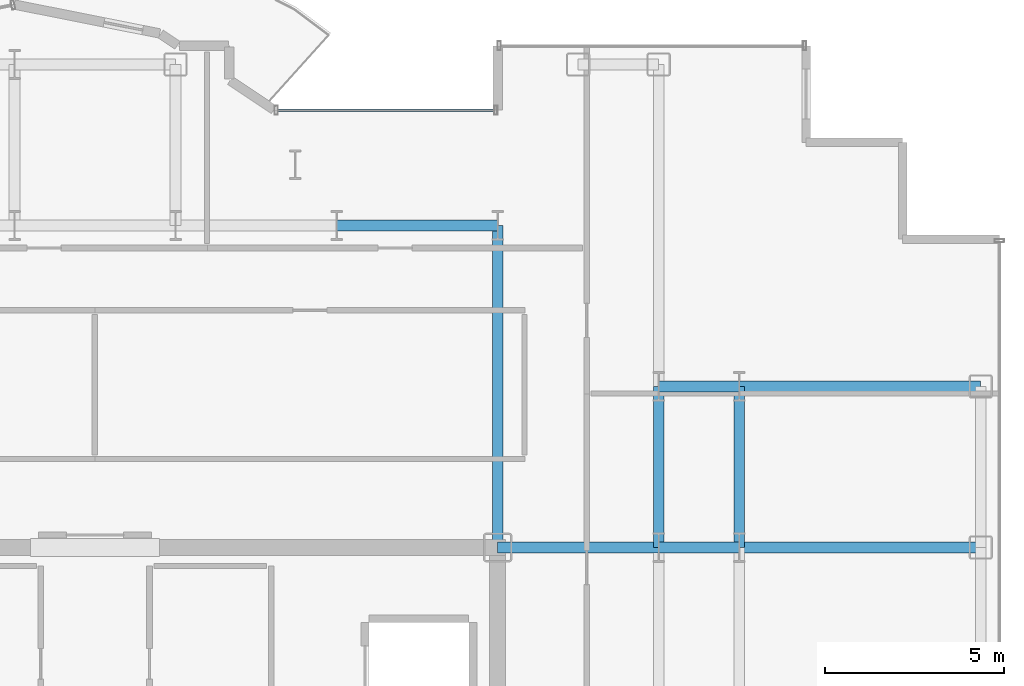
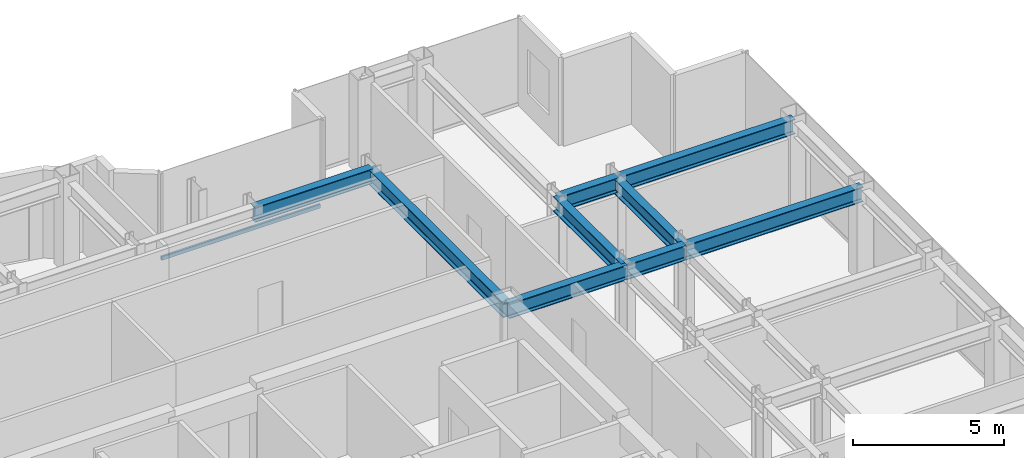
# One storey, part 11 of 20: 9 beams, 1 member, 1 element without a shape of its own.
"""IFC4 building model written with IfcOpenShell, lengths in metres."""

from ifc_helpers import new_model, si_unit, direction, frame, origin, origin_2d, place, context, subcontext, project, spatial, hollow_rectangle, i_section, extrude, source, transform, mapped, material, layer, layer_set, material_profile, profile_set, type_object, element, aggregate, save


model = new_model("IFC4")

# Units and contexts
model_context = context("Model", 3, precision=1e-05, world=origin(), true_north=direction((0.0, 1.0)))
body_context = subcontext(model_context, "Body", "Model", "MODEL_VIEW")
ifc_project = project(units=[si_unit("LENGTHUNIT", "METRE"), si_unit("AREAUNIT", "SQUARE_METRE"), si_unit("VOLUMEUNIT", "CUBIC_METRE"), si_unit("PLANEANGLEUNIT", "RADIAN"), si_unit("MASSUNIT", "GRAM", prefix="KILO")], contexts=[model_context])

# Site, building, storey
site_placement = place(None, origin())
site = spatial("IfcSite", under=ifc_project, at=site_placement, CompositionType="ELEMENT")
building_placement = place(site_placement, origin())
building = spatial("IfcBuilding", under=site, at=building_placement, Name="Nefas-Gora Pilgrimage Tower", CompositionType="ELEMENT")
storey_placement = place(building_placement, frame((0.0, 0.0, 225.60009765625)))
storey = spatial("IfcBuildingStorey", under=building, at=storey_placement, Name="L56", CompositionType="ELEMENT", Elevation=225.60009765625)

# Beams
ifc_material_1 = material(Name="Steel S355", Category="steel")
ifc_material_profile_1 = material_profile(ifc_material_1, i_section(OverallWidth=0.300048828125, OverallDepth=0.60009765625, WebThickness=0.015380859375, FlangeThickness=0.030029296875, FilletRadius=0.027099609375, at=origin_2d()), Name="HEB 600")
ifc_profile_set_1 = profile_set([ifc_material_profile_1], Name="Steel S355")
beam_type = type_object("IfcBeamType", Name="BM-GIR-HEB600", PredefinedType="BEAM", material=ifc_profile_set_1)
shared_shape_1 = source(origin(), body_context, "Body", "SweptSolid", [
    extrude(i_section(OverallWidth=0.300048828125, OverallDepth=0.60009765625, WebThickness=0.015380859375, FlangeThickness=0.030029296875, FilletRadius=0.027099609375, at=origin_2d()), origin(), (0.0, 0.0, 1.0), 9.0),
])
beam_placement = place(storey_placement, frame((11.25, 9.0, 3.25), z_axis=(0.0, 1.0, 0.0), x_axis=(-1.0, 0.0, 0.0)))
element("IfcBeam", 1, at=beam_placement, inside=storey, type_object=beam_type, Name="L56 G-04 beam", PredefinedType="BEAM", context=body_context, shape_type="MappedRepresentation", body=[
    mapped(shared_shape_1, transform((0.0, 0.0, 0.0), x_axis=(1.0, 0.0, 0.0), y_axis=(0.0, 1.0, 0.0), z_axis=(0.0, 0.0, 1.0), scale=1.0)),
])
shared_shape_2 = source(origin(), body_context, "Body", "SweptSolid", [
    extrude(i_section(OverallWidth=0.300048828125, OverallDepth=0.60009765625, WebThickness=0.015380859375, FlangeThickness=0.030029296875, FilletRadius=0.027099609375, at=origin_2d()), origin(), (0.0, 0.0, 1.0), 4.5),
])
for number, where, z_axis, x_axis, name in (
    (2, (6.75, 18.0, 3.25), (1.0, 0.0, 0.0), (0.0, 1.0, 0.0), "L56 G-04 beam"),
    (3, (11.25, 9.0, 3.25), (1.0, 0.0, 0.0), (0.0, 1.0, 0.0), "L56 G-04 beam"),
    (4, (15.75, 9.0, 3.25), (0.0, 1.0, 0.0), (-1.0, 0.0, 0.0), "L56 G-04 beam"),
    (5, (18.0, 9.0, 3.25), (0.0, 1.0, 0.0), (-1.0, 0.0, 0.0), "L56 G-04 beam"),
):
    element("IfcBeam", number, at=place(storey_placement, frame(where, z_axis=z_axis, x_axis=x_axis)), inside=storey, type_object=beam_type, Name=name, PredefinedType="BEAM", context=body_context, shape_type="MappedRepresentation", body=[
        mapped(shared_shape_2, transform((0.0, 0.0, 0.0), x_axis=(1.0, 0.0, 0.0), y_axis=(0.0, 1.0, 0.0), z_axis=(0.0, 0.0, 1.0), scale=1.0)),
    ])
shared_shape_3 = source(origin(), body_context, "Body", "SweptSolid", [
    extrude(i_section(OverallWidth=0.300048828125, OverallDepth=0.60009765625, WebThickness=0.015380859375, FlangeThickness=0.030029296875, FilletRadius=0.027099609375, at=origin_2d()), origin(), (0.0, 0.0, 1.0), 6.75),
])
for number, where, z_axis, x_axis, name in (
    (6, (18.0, 9.0, 3.25), (1.0, 0.0, 0.0), (0.0, 1.0, 0.0), "L56 G-04 beam"),
    (7, (18.0, 13.5, 3.25), (1.0, 0.0, 0.0), (0.0, 1.0, 0.0), "L56 G-04 beam"),
):
    element("IfcBeam", number, at=place(storey_placement, frame(where, z_axis=z_axis, x_axis=x_axis)), inside=storey, type_object=beam_type, Name=name, PredefinedType="BEAM", context=body_context, shape_type="MappedRepresentation", body=[
        mapped(shared_shape_3, transform((0.0, 0.0, 0.0), x_axis=(1.0, 0.0, 0.0), y_axis=(0.0, 1.0, 0.0), z_axis=(0.0, 0.0, 1.0), scale=1.0)),
    ])
shared_shape_4 = source(origin(), body_context, "Body", "SweptSolid", [
    extrude(i_section(OverallWidth=0.300048828125, OverallDepth=0.60009765625, WebThickness=0.015380859375, FlangeThickness=0.030029296875, FilletRadius=0.027099609375, at=origin_2d()), origin(), (0.0, 0.0, 1.0), 2.25),
])
for number, where, z_axis, x_axis, name in (
    (8, (15.75, 9.0, 3.25), (1.0, 0.0, 0.0), (0.0, 1.0, 0.0), "L56 G-04 beam"),
    (9, (15.75, 13.5, 3.25), (1.0, 0.0, 0.0), (0.0, 1.0, 0.0), "L56 G-04 beam"),
):
    element("IfcBeam", number, at=place(storey_placement, frame(where, z_axis=z_axis, x_axis=x_axis)), inside=storey, type_object=beam_type, Name=name, PredefinedType="BEAM", context=body_context, shape_type="MappedRepresentation", body=[
        mapped(shared_shape_4, transform((0.0, 0.0, 0.0), x_axis=(1.0, 0.0, 0.0), y_axis=(0.0, 1.0, 0.0), z_axis=(0.0, 0.0, 1.0), scale=1.0)),
    ])

# Curtain wall, member
ifc_material_2 = material(Name="Dark ceramic-fritted solar-control aluminium-glass curtain wall", Category="aluminium")
ifc_layer = layer(ifc_material_2, 0.219970703125)
ifc_layer_set = layer_set([ifc_layer], Name="Dark ceramic-fritted solar-control aluminium-glass curtain wall")
curtain_wall_type = type_object("IfcCurtainWallType", Name="CW-SYS-5", PredefinedType="NOTDEFINED", material=ifc_layer_set)
curtain_wall_placement = place(storey_placement, origin())
curtain_wall = element("IfcCurtainWall", 10, at=curtain_wall_placement, inside=storey, type_object=curtain_wall_type, Name="L56 Unitised Curtain Wall CW5", PredefinedType="NOTDEFINED")
ifc_material_3 = material(Name="Anodised architectural aluminium", Category="aluminium")
ifc_material_profile_2 = material_profile(ifc_material_3, hollow_rectangle(XDim=0.080078125, YDim=0.159912109375, WallThickness=0.00439453125, InnerFilletRadius=0.00439453125, OuterFilletRadius=0.009033203125, at=origin_2d()), Name="ALU TRANSOM 80x160")
ifc_profile_set_2 = profile_set([ifc_material_profile_2], Name="Anodised architectural aluminium")
member_type = type_object("IfcMemberType", Name="CWM-TRN-5", PredefinedType="USERDEFINED", material=ifc_profile_set_2)
shared_shape_5 = source(origin(), body_context, "Body", "SweptSolid", [
    extrude(hollow_rectangle(XDim=0.080078125, YDim=0.159912109375, WallThickness=0.00439453125, InnerFilletRadius=0.00439453125, OuterFilletRadius=0.009033203125, at=origin_2d()), origin(), (0.0, 0.0, 1.0), 6.052001953125),
])
member_placement = place(storey_placement, frame((11.159912109375, 21.219970703125, 0.0498046875), z_axis=(-1.0, 0.0, 0.0), x_axis=(0.0, -1.0, 0.0)))
member = element("IfcMember", 11, at=member_placement, type_object=member_type, Name="CW5 Spandrel Transom", ObjectType="TRANSOM", PredefinedType="USERDEFINED", context=body_context, shape_type="MappedRepresentation", body=[
    mapped(shared_shape_5, transform((0.0, 0.0, 0.0), x_axis=(1.0, 0.0, 0.0), y_axis=(0.0, 1.0, 0.0), z_axis=(0.0, 0.0, 1.0), scale=1.0)),
])
aggregate(curtain_wall, [member])

save(model, "model.ifc")
